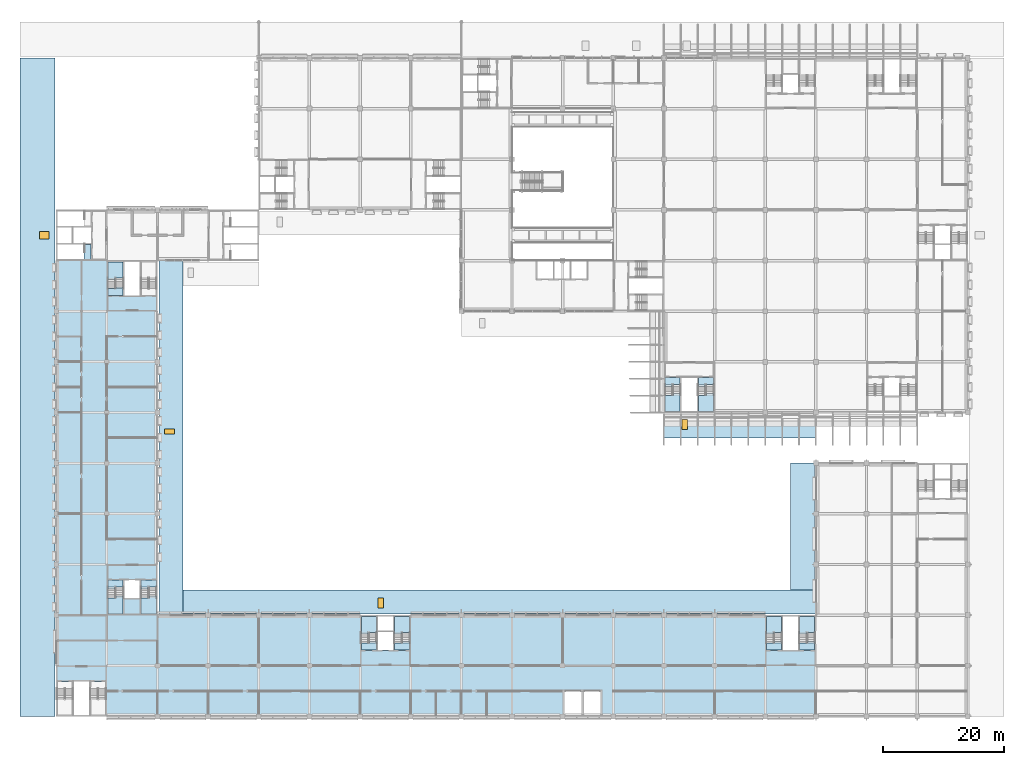
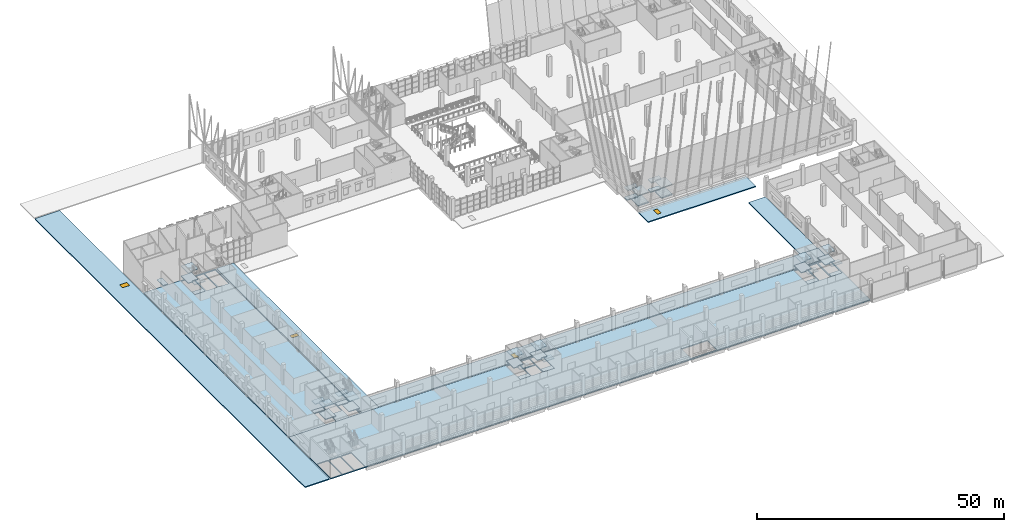
# One storey, part 20 of 101: 44 slabs, 4 windows, 4 openings, 9 elements without a shape of their own.
"""IFC4 building model written with IfcOpenShell, lengths in metres."""

from ifc_helpers import new_model, si_unit, direction, frame, origin, origin_2d, place, context, subcontext, project, spatial, polyline, rectangle, outline, extrude, material, layer, layer_set, type_object, element, fill, aggregate, save


model = new_model("IFC4")

# Units and contexts
model_context = context("Model", 3, precision=1e-05, world=origin(), true_north=direction((0.0, 1.0)))
body_context = subcontext(model_context, "Body", "Model", "MODEL_VIEW")
ifc_project = project(units=[si_unit("LENGTHUNIT", "METRE"), si_unit("AREAUNIT", "SQUARE_METRE"), si_unit("VOLUMEUNIT", "CUBIC_METRE"), si_unit("PLANEANGLEUNIT", "RADIAN"), si_unit("MASSUNIT", "GRAM", prefix="KILO")], contexts=[model_context])

# Site, building, storey
site_placement = place(None, origin())
site = spatial("IfcSite", under=ifc_project, at=site_placement, CompositionType="ELEMENT")
building_placement = place(site_placement, origin())
building = spatial("IfcBuilding", under=site, at=building_placement, Name="Almond Square Museum", CompositionType="ELEMENT")
storey_placement = place(building_placement, frame((0.0, 0.0, 5.5)))
storey = spatial("IfcBuildingStorey", under=building, at=storey_placement, Name="L01", CompositionType="ELEMENT", Elevation=5.5)

# Slab, opening, window
ifc_material_1 = material(Name="Timber deck and membrane roofing", Category="wood")
ifc_layer_1 = layer(ifc_material_1, 0.25)
ifc_layer_set_1 = layer_set([ifc_layer_1], Name="Timber deck and membrane roofing")
slab_type_1 = type_object("IfcSlabType", Name="Arcade roof covering 250", PredefinedType="ROOF", material=ifc_layer_set_1)
slab_1_placement = place(storey_placement, frame((0.0, 0.0, -0.25)))
slab_1 = element("IfcSlab", 1, at=slab_1_placement, inside=storey, type_object=slab_type_1, Name="Roof covering Arc West", PredefinedType="ROOF", context=body_context, shape_type="SweptSolid", body=[
    extrude(outline(polyline([(5.780029296875, 0.0), (5.780029296875, 109.199951171875), (0.0, 109.199951171875), (0.0, 0.0), (5.780029296875, 0.0)])), origin(), (0.0, 0.0, 1.0), 0.25),
])
opening_1_placement = place(slab_1_placement, frame((4.0, 79.800048828125, -0.010009765625)))
opening_1 = element("IfcOpeningElement", 2, at=opening_1_placement, cuts=slab_1, Name="Opening RL308", PredefinedType="OPENING", context=body_context, shape_type="SweptSolid", body=[
    extrude(rectangle(XDim=1.60009765625, YDim=1.199951171875, at=origin_2d()), origin(), (0.0, 0.0, 1.0), 0.27001953125),
])
ifc_material_2 = material(Name="Aluminium frame and laminated glass", Category="aluminium")
window_type_1 = type_object("IfcWindowType", Name="Entrance rooflight 1200 x 1600", PartitioningType="SINGLE_PANEL", PredefinedType="SKYLIGHT", material=ifc_material_2)
window_1_placement = place(opening_1_placement, frame((0.0, 0.0, 0.2099609375)))
window_1 = element("IfcWindow", 3, at=window_1_placement, inside=storey, type_object=window_type_1, Name="Rooflight", OverallHeight=1.199951171875, OverallWidth=1.60009765625, PartitioningType="SINGLE_PANEL", PredefinedType="SKYLIGHT", context=body_context, shape_type="SweptSolid", body=[
    extrude(rectangle(XDim=1.60009765625, YDim=1.199951171875, at=origin_2d()), origin(), (0.0, 0.0, 1.0), 0.050048828125),
])
fill(opening_1, window_1)

slab_2_placement = place(storey_placement, frame((0.0, 0.0, -0.25)))
slab_2 = element("IfcSlab", 4, at=slab_2_placement, inside=storey, type_object=slab_type_1, Name="Roof covering Log V5S", PredefinedType="ROOF", context=body_context, shape_type="SweptSolid", body=[
    extrude(outline(polyline([(132.0, 17.02001953125), (132.0, 21.0), (27.0, 21.0), (27.0, 17.02001953125), (132.0, 17.02001953125)])), origin(), (0.0, 0.0, 1.0), 0.25),
])
opening_2_placement = place(slab_2_placement, frame((59.85009765625, 18.800048828125, -0.010009765625)))
opening_2 = element("IfcOpeningElement", 5, at=opening_2_placement, cuts=slab_2, Name="Opening RL411", PredefinedType="OPENING", context=body_context, shape_type="SweptSolid", body=[
    extrude(rectangle(XDim=0.89990234375, YDim=1.60009765625, at=origin_2d()), origin(), (0.0, 0.0, 1.0), 0.27001953125),
])
ifc_material_3 = material(Name="Aluminium frame and laminated glass", Category="aluminium")
window_type_2 = type_object("IfcWindowType", Name="Entrance rooflight 900 x 1600", PartitioningType="SINGLE_PANEL", PredefinedType="SKYLIGHT", material=ifc_material_3)
window_2_placement = place(opening_2_placement, frame((0.0, 0.0, 0.2099609375)))
window_2 = element("IfcWindow", 6, at=window_2_placement, inside=storey, type_object=window_type_2, Name="Rooflight", OverallHeight=1.60009765625, OverallWidth=0.89990234375, PartitioningType="SINGLE_PANEL", PredefinedType="SKYLIGHT", context=body_context, shape_type="SweptSolid", body=[
    extrude(rectangle(XDim=0.89990234375, YDim=1.60009765625, at=origin_2d()), origin(), (0.0, 0.0, 1.0), 0.050048828125),
])
fill(opening_2, window_2)

slab_3_placement = place(storey_placement, frame((0.0, 0.0, -0.25)))
slab_3 = element("IfcSlab", 7, at=slab_3_placement, inside=storey, type_object=slab_type_1, Name="Roof covering Log V4W", PredefinedType="ROOF", context=body_context, shape_type="SweptSolid", body=[
    extrude(outline(polyline([(27.0, 16.800048828125), (27.0, 75.60009765625), (23.02001953125, 75.60009765625), (23.02001953125, 16.800048828125), (27.0, 16.800048828125)])), origin(), (0.0, 0.0, 1.0), 0.25),
])
opening_3_placement = place(slab_3_placement, frame((24.800048828125, 47.25, -0.010009765625)))
opening_3 = element("IfcOpeningElement", 8, at=opening_3_placement, cuts=slab_3, Name="Opening RL406", PredefinedType="OPENING", context=body_context, shape_type="SweptSolid", body=[
    extrude(rectangle(XDim=1.60009765625, YDim=0.89990234375, at=origin_2d()), origin(), (0.0, 0.0, 1.0), 0.27001953125),
])
window_3_placement = place(opening_3_placement, frame((0.0, 0.0, 0.2099609375)))
window_3 = element("IfcWindow", 9, at=window_3_placement, inside=storey, type_object=window_type_2, Name="Rooflight", OverallHeight=0.89990234375, OverallWidth=1.60009765625, PartitioningType="SINGLE_PANEL", PredefinedType="SKYLIGHT", context=body_context, shape_type="SweptSolid", body=[
    extrude(rectangle(XDim=1.60009765625, YDim=0.89990234375, at=origin_2d()), origin(), (0.0, 0.0, 1.0), 0.050048828125),
])
fill(opening_3, window_3)

slab_4_placement = place(storey_placement, frame((0.0, 0.0, -0.25)))
slab_4 = element("IfcSlab", 10, at=slab_4_placement, inside=storey, type_object=slab_type_1, Name="Roof covering Log V1", PredefinedType="ROOF", context=body_context, shape_type="SweptSolid", body=[
    extrude(outline(polyline([(132.0, 46.199951171875), (132.0, 50.179931640625), (106.800048828125, 50.179931640625), (106.800048828125, 46.199951171875), (132.0, 46.199951171875)])), origin(), (0.0, 0.0, 1.0), 0.25),
])
opening_4_placement = place(slab_4_placement, frame((110.25, 48.39990234375, -0.010009765625)))
opening_4 = element("IfcOpeningElement", 11, at=opening_4_placement, cuts=slab_4, Name="Opening RL407", PredefinedType="OPENING", context=body_context, shape_type="SweptSolid", body=[
    extrude(rectangle(XDim=0.89990234375, YDim=1.60009765625, at=origin_2d()), origin(), (0.0, 0.0, 1.0), 0.27001953125),
])
window_4_placement = place(opening_4_placement, frame((0.0, 0.0, 0.2099609375)))
window_4 = element("IfcWindow", 12, at=window_4_placement, inside=storey, type_object=window_type_2, Name="Rooflight", OverallHeight=1.60009765625, OverallWidth=0.89990234375, PartitioningType="SINGLE_PANEL", PredefinedType="SKYLIGHT", context=body_context, shape_type="SweptSolid", body=[
    extrude(rectangle(XDim=0.89990234375, YDim=1.60009765625, at=origin_2d()), origin(), (0.0, 0.0, 1.0), 0.050048828125),
])
fill(opening_4, window_4)

# Slab
slab_5_placement = place(storey_placement, frame((0.0, 0.0, -0.25)))
element("IfcSlab", 13, at=slab_5_placement, inside=storey, type_object=slab_type_1, Name="Roof covering Log V5E", PredefinedType="ROOF", context=body_context, shape_type="SweptSolid", body=[
    extrude(outline(polyline([(131.780029296875, 21.0), (131.780029296875, 42.0), (127.800048828125, 42.0), (127.800048828125, 21.0), (131.780029296875, 21.0)])), origin(), (0.0, 0.0, 1.0), 0.25),
])

# Stair, slabs
ifc_material_4 = material(Name="Concrete C40/50", Category="concrete")
stair_type = type_object("IfcStairType", Name="Exit stair 28 risers of 179 mm", PredefinedType="HALF_TURN_STAIR", material=ifc_material_4)
stair_1_placement = place(storey_placement, origin())
stair_1 = element("IfcStair", 14, at=stair_1_placement, inside=storey, type_object=stair_type, Name="L01 stair H1-1", PredefinedType="HALF_TURN_STAIR")
ifc_material_5 = material(Name="Concrete C40/50", Category="concrete")
ifc_layer_2 = layer(ifc_material_5, 0.199951171875)
ifc_layer_set_2 = layer_set([ifc_layer_2], Name="Concrete C40/50")
slab_type_2 = type_object("IfcSlabType", Name="Concrete stair landing 200", PredefinedType="LANDING", material=ifc_layer_set_2)
slab_6_placement = place(storey_placement, frame((0.0, 0.0, 1.050048828125)))
slab_6 = element("IfcSlab", 15, at=slab_6_placement, type_object=slab_type_2, Name="ST-01 landing 1", PredefinedType="LANDING", context=body_context, shape_type="SweptSolid", body=[
    extrude(outline(polyline([(107.0, 53.2529296875), (107.0, 50.60009765625), (109.5, 50.60009765625), (109.5, 53.550048828125), (108.35009765625, 53.550048828125), (108.35009765625, 53.2529296875), (107.0, 53.2529296875)])), origin(), (0.0, 0.0, 1.0), 0.199951171875),
])
slab_7_placement = place(storey_placement, frame((0.0, 0.0, 2.300048828125)))
slab_7 = element("IfcSlab", 16, at=slab_7_placement, type_object=slab_type_2, Name="ST-01 landing 2", PredefinedType="LANDING", context=body_context, shape_type="SweptSolid", body=[
    extrude(outline(polyline([(107.0, 56.199951171875), (107.0, 55.050048828125), (107.0, 54.75), (108.14990234375, 54.75), (108.14990234375, 55.047119140625), (109.5, 55.047119140625), (109.5, 56.199951171875), (107.0, 56.199951171875)])), origin(), (0.0, 0.0, 1.0), 0.199951171875),
])
slab_8_placement = place(storey_placement, frame((0.0, 0.0, 3.550048828125)))
slab_8 = element("IfcSlab", 17, at=slab_8_placement, type_object=slab_type_2, Name="ST-01 landing 3", PredefinedType="LANDING", context=body_context, shape_type="SweptSolid", body=[
    extrude(outline(polyline([(107.0, 53.2529296875), (107.0, 50.60009765625), (109.5, 50.60009765625), (109.5, 53.550048828125), (108.35009765625, 53.550048828125), (108.35009765625, 53.2529296875), (107.0, 53.2529296875)])), origin(), (0.0, 0.0, 1.0), 0.199951171875),
])
aggregate(stair_1, [slab_6, slab_7, slab_8])

stair_2_placement = place(storey_placement, origin())
stair_2 = element("IfcStair", 18, at=stair_2_placement, inside=storey, type_object=stair_type, Name="L01 stair H1-2", PredefinedType="HALF_TURN_STAIR")
slab_9_placement = place(storey_placement, frame((0.0, 0.0, 1.050048828125)))
slab_9 = element("IfcSlab", 19, at=slab_9_placement, type_object=slab_type_2, Name="ST-02 landing 1", PredefinedType="LANDING", context=body_context, shape_type="SweptSolid", body=[
    extrude(outline(polyline([(112.5, 53.2529296875), (112.5, 50.60009765625), (115.0, 50.60009765625), (115.0, 53.550048828125), (113.85009765625, 53.550048828125), (113.85009765625, 53.2529296875), (112.5, 53.2529296875)])), origin(), (0.0, 0.0, 1.0), 0.199951171875),
])
slab_10_placement = place(storey_placement, frame((0.0, 0.0, 2.300048828125)))
slab_10 = element("IfcSlab", 20, at=slab_10_placement, type_object=slab_type_2, Name="ST-02 landing 2", PredefinedType="LANDING", context=body_context, shape_type="SweptSolid", body=[
    extrude(outline(polyline([(112.5, 56.199951171875), (112.5, 55.050048828125), (112.5, 54.75), (113.64990234375, 54.75), (113.64990234375, 55.047119140625), (115.0, 55.047119140625), (115.0, 56.199951171875), (112.5, 56.199951171875)])), origin(), (0.0, 0.0, 1.0), 0.199951171875),
])
slab_11_placement = place(storey_placement, frame((0.0, 0.0, 3.550048828125)))
slab_11 = element("IfcSlab", 21, at=slab_11_placement, type_object=slab_type_2, Name="ST-02 landing 3", PredefinedType="LANDING", context=body_context, shape_type="SweptSolid", body=[
    extrude(outline(polyline([(112.5, 53.2529296875), (112.5, 50.60009765625), (115.0, 50.60009765625), (115.0, 53.550048828125), (113.85009765625, 53.550048828125), (113.85009765625, 53.2529296875), (112.5, 53.2529296875)])), origin(), (0.0, 0.0, 1.0), 0.199951171875),
])
aggregate(stair_2, [slab_9, slab_10, slab_11])

stair_3_placement = place(storey_placement, origin())
stair_3 = element("IfcStair", 22, at=stair_3_placement, inside=storey, type_object=stair_type, Name="L01 stair W1-1", PredefinedType="HALF_TURN_STAIR")
slab_12_placement = place(storey_placement, frame((0.0, 0.0, 1.050048828125)))
slab_12 = element("IfcSlab", 23, at=slab_12_placement, type_object=slab_type_2, Name="ST-21 landing 1", PredefinedType="LANDING", context=body_context, shape_type="SweptSolid", body=[
    extrude(outline(polyline([(14.60009765625, 19.653076171875), (14.60009765625, 17.0), (17.10009765625, 17.0), (17.10009765625, 19.949951171875), (15.949951171875, 19.949951171875), (15.949951171875, 19.653076171875), (14.60009765625, 19.653076171875)])), origin(), (0.0, 0.0, 1.0), 0.199951171875),
])
slab_13_placement = place(storey_placement, frame((0.0, 0.0, 2.300048828125)))
slab_13 = element("IfcSlab", 24, at=slab_13_placement, type_object=slab_type_2, Name="ST-21 landing 2", PredefinedType="LANDING", context=body_context, shape_type="SweptSolid", body=[
    extrude(outline(polyline([(14.60009765625, 22.60009765625), (14.60009765625, 21.449951171875), (14.60009765625, 21.14990234375), (15.75, 21.14990234375), (15.75, 21.447021484375), (17.10009765625, 21.447021484375), (17.10009765625, 22.60009765625), (14.60009765625, 22.60009765625)])), origin(), (0.0, 0.0, 1.0), 0.199951171875),
])
slab_14_placement = place(storey_placement, frame((0.0, 0.0, 3.550048828125)))
slab_14 = element("IfcSlab", 25, at=slab_14_placement, type_object=slab_type_2, Name="ST-21 landing 3", PredefinedType="LANDING", context=body_context, shape_type="SweptSolid", body=[
    extrude(outline(polyline([(14.60009765625, 19.653076171875), (14.60009765625, 17.0), (17.10009765625, 17.0), (17.10009765625, 19.949951171875), (15.949951171875, 19.949951171875), (15.949951171875, 19.653076171875), (14.60009765625, 19.653076171875)])), origin(), (0.0, 0.0, 1.0), 0.199951171875),
])
aggregate(stair_3, [slab_12, slab_13, slab_14])

stair_4_placement = place(storey_placement, origin())
stair_4 = element("IfcStair", 26, at=stair_4_placement, inside=storey, type_object=stair_type, Name="L01 stair W1-2", PredefinedType="HALF_TURN_STAIR")
slab_15_placement = place(storey_placement, frame((0.0, 0.0, 1.050048828125)))
slab_15 = element("IfcSlab", 27, at=slab_15_placement, type_object=slab_type_2, Name="ST-22 landing 1", PredefinedType="LANDING", context=body_context, shape_type="SweptSolid", body=[
    extrude(outline(polyline([(20.10009765625, 19.653076171875), (20.10009765625, 17.0), (22.60009765625, 17.0), (22.60009765625, 19.949951171875), (21.449951171875, 19.949951171875), (21.449951171875, 19.653076171875), (20.10009765625, 19.653076171875)])), origin(), (0.0, 0.0, 1.0), 0.199951171875),
])
slab_16_placement = place(storey_placement, frame((0.0, 0.0, 2.300048828125)))
slab_16 = element("IfcSlab", 28, at=slab_16_placement, type_object=slab_type_2, Name="ST-22 landing 2", PredefinedType="LANDING", context=body_context, shape_type="SweptSolid", body=[
    extrude(outline(polyline([(20.10009765625, 22.60009765625), (20.10009765625, 21.449951171875), (20.10009765625, 21.14990234375), (21.25, 21.14990234375), (21.25, 21.447021484375), (22.60009765625, 21.447021484375), (22.60009765625, 22.60009765625), (20.10009765625, 22.60009765625)])), origin(), (0.0, 0.0, 1.0), 0.199951171875),
])
slab_17_placement = place(storey_placement, frame((0.0, 0.0, 3.550048828125)))
slab_17 = element("IfcSlab", 29, at=slab_17_placement, type_object=slab_type_2, Name="ST-22 landing 3", PredefinedType="LANDING", context=body_context, shape_type="SweptSolid", body=[
    extrude(outline(polyline([(20.10009765625, 19.653076171875), (20.10009765625, 17.0), (22.60009765625, 17.0), (22.60009765625, 19.949951171875), (21.449951171875, 19.949951171875), (21.449951171875, 19.653076171875), (20.10009765625, 19.653076171875)])), origin(), (0.0, 0.0, 1.0), 0.199951171875),
])
aggregate(stair_4, [slab_15, slab_16, slab_17])

stair_5_placement = place(storey_placement, origin())
stair_5 = element("IfcStair", 30, at=stair_5_placement, inside=storey, type_object=stair_type, Name="L01 stair W2-1", PredefinedType="HALF_TURN_STAIR")
slab_18_placement = place(storey_placement, frame((0.0, 0.0, 1.050048828125)))
slab_18 = element("IfcSlab", 31, at=slab_18_placement, type_object=slab_type_2, Name="ST-23 landing 1", PredefinedType="LANDING", context=body_context, shape_type="SweptSolid", body=[
    extrude(outline(polyline([(17.10009765625, 72.7470703125), (17.10009765625, 75.39990234375), (14.60009765625, 75.39990234375), (14.60009765625, 72.449951171875), (15.75, 72.449951171875), (15.75, 72.7470703125), (17.10009765625, 72.7470703125)])), origin(), (0.0, 0.0, 1.0), 0.199951171875),
])
slab_19_placement = place(storey_placement, frame((0.0, 0.0, 2.300048828125)))
slab_19 = element("IfcSlab", 32, at=slab_19_placement, type_object=slab_type_2, Name="ST-23 landing 2", PredefinedType="LANDING", context=body_context, shape_type="SweptSolid", body=[
    extrude(outline(polyline([(17.10009765625, 69.800048828125), (17.10009765625, 70.949951171875), (17.10009765625, 71.25), (15.949951171875, 71.25), (15.949951171875, 70.952880859375), (14.60009765625, 70.952880859375), (14.60009765625, 69.800048828125), (17.10009765625, 69.800048828125)])), origin(), (0.0, 0.0, 1.0), 0.199951171875),
])
slab_20_placement = place(storey_placement, frame((0.0, 0.0, 3.550048828125)))
slab_20 = element("IfcSlab", 33, at=slab_20_placement, type_object=slab_type_2, Name="ST-23 landing 3", PredefinedType="LANDING", context=body_context, shape_type="SweptSolid", body=[
    extrude(outline(polyline([(17.10009765625, 72.7470703125), (17.10009765625, 75.39990234375), (14.60009765625, 75.39990234375), (14.60009765625, 72.449951171875), (15.75, 72.449951171875), (15.75, 72.7470703125), (17.10009765625, 72.7470703125)])), origin(), (0.0, 0.0, 1.0), 0.199951171875),
])
aggregate(stair_5, [slab_18, slab_19, slab_20])

stair_6_placement = place(storey_placement, origin())
stair_6 = element("IfcStair", 34, at=stair_6_placement, inside=storey, type_object=stair_type, Name="L01 stair S2-1", PredefinedType="HALF_TURN_STAIR")
slab_21_placement = place(storey_placement, frame((0.0, 0.0, 1.050048828125)))
slab_21 = element("IfcSlab", 35, at=slab_21_placement, type_object=slab_type_2, Name="ST-29 landing 1", PredefinedType="LANDING", context=body_context, shape_type="SweptSolid", body=[
    extrude(outline(polyline([(59.10009765625, 13.947021484375), (59.10009765625, 16.60009765625), (56.60009765625, 16.60009765625), (56.60009765625, 13.64990234375), (57.75, 13.64990234375), (57.75, 13.947021484375), (59.10009765625, 13.947021484375)])), origin(), (0.0, 0.0, 1.0), 0.199951171875),
])
slab_22_placement = place(storey_placement, frame((0.0, 0.0, 2.300048828125)))
slab_22 = element("IfcSlab", 36, at=slab_22_placement, type_object=slab_type_2, Name="ST-29 landing 2", PredefinedType="LANDING", context=body_context, shape_type="SweptSolid", body=[
    extrude(outline(polyline([(59.10009765625, 11.0), (59.10009765625, 12.14990234375), (59.10009765625, 12.449951171875), (57.949951171875, 12.449951171875), (57.949951171875, 12.153076171875), (56.60009765625, 12.153076171875), (56.60009765625, 11.0), (59.10009765625, 11.0)])), origin(), (0.0, 0.0, 1.0), 0.199951171875),
])
slab_23_placement = place(storey_placement, frame((0.0, 0.0, 3.550048828125)))
slab_23 = element("IfcSlab", 37, at=slab_23_placement, type_object=slab_type_2, Name="ST-29 landing 3", PredefinedType="LANDING", context=body_context, shape_type="SweptSolid", body=[
    extrude(outline(polyline([(59.10009765625, 13.947021484375), (59.10009765625, 16.60009765625), (56.60009765625, 16.60009765625), (56.60009765625, 13.64990234375), (57.75, 13.64990234375), (57.75, 13.947021484375), (59.10009765625, 13.947021484375)])), origin(), (0.0, 0.0, 1.0), 0.199951171875),
])
aggregate(stair_6, [slab_21, slab_22, slab_23])

stair_7_placement = place(storey_placement, origin())
stair_7 = element("IfcStair", 38, at=stair_7_placement, inside=storey, type_object=stair_type, Name="L01 stair S2-2", PredefinedType="HALF_TURN_STAIR")
slab_24_placement = place(storey_placement, frame((0.0, 0.0, 1.050048828125)))
slab_24 = element("IfcSlab", 39, at=slab_24_placement, type_object=slab_type_2, Name="ST-30 landing 1", PredefinedType="LANDING", context=body_context, shape_type="SweptSolid", body=[
    extrude(outline(polyline([(64.60009765625, 13.947021484375), (64.60009765625, 16.60009765625), (62.10009765625, 16.60009765625), (62.10009765625, 13.64990234375), (63.25, 13.64990234375), (63.25, 13.947021484375), (64.60009765625, 13.947021484375)])), origin(), (0.0, 0.0, 1.0), 0.199951171875),
])
slab_25_placement = place(storey_placement, frame((0.0, 0.0, 2.300048828125)))
slab_25 = element("IfcSlab", 40, at=slab_25_placement, type_object=slab_type_2, Name="ST-30 landing 2", PredefinedType="LANDING", context=body_context, shape_type="SweptSolid", body=[
    extrude(outline(polyline([(64.60009765625, 11.0), (64.60009765625, 12.14990234375), (64.60009765625, 12.449951171875), (63.449951171875, 12.449951171875), (63.449951171875, 12.153076171875), (62.10009765625, 12.153076171875), (62.10009765625, 11.0), (64.60009765625, 11.0)])), origin(), (0.0, 0.0, 1.0), 0.199951171875),
])
slab_26_placement = place(storey_placement, frame((0.0, 0.0, 3.550048828125)))
slab_26 = element("IfcSlab", 41, at=slab_26_placement, type_object=slab_type_2, Name="ST-30 landing 3", PredefinedType="LANDING", context=body_context, shape_type="SweptSolid", body=[
    extrude(outline(polyline([(64.60009765625, 13.947021484375), (64.60009765625, 16.60009765625), (62.10009765625, 16.60009765625), (62.10009765625, 13.64990234375), (63.25, 13.64990234375), (63.25, 13.947021484375), (64.60009765625, 13.947021484375)])), origin(), (0.0, 0.0, 1.0), 0.199951171875),
])
aggregate(stair_7, [slab_24, slab_25, slab_26])

stair_8_placement = place(storey_placement, origin())
stair_8 = element("IfcStair", 42, at=stair_8_placement, inside=storey, type_object=stair_type, Name="L01 stair S3-1", PredefinedType="HALF_TURN_STAIR")
slab_27_placement = place(storey_placement, frame((0.0, 0.0, 1.050048828125)))
slab_27 = element("IfcSlab", 43, at=slab_27_placement, type_object=slab_type_2, Name="ST-31 landing 1", PredefinedType="LANDING", context=body_context, shape_type="SweptSolid", body=[
    extrude(outline(polyline([(126.300048828125, 13.947021484375), (126.300048828125, 16.60009765625), (123.800048828125, 16.60009765625), (123.800048828125, 13.64990234375), (124.949951171875, 13.64990234375), (124.949951171875, 13.947021484375), (126.300048828125, 13.947021484375)])), origin(), (0.0, 0.0, 1.0), 0.199951171875),
])
slab_28_placement = place(storey_placement, frame((0.0, 0.0, 2.300048828125)))
slab_28 = element("IfcSlab", 44, at=slab_28_placement, type_object=slab_type_2, Name="ST-31 landing 2", PredefinedType="LANDING", context=body_context, shape_type="SweptSolid", body=[
    extrude(outline(polyline([(126.300048828125, 11.0), (126.300048828125, 12.14990234375), (126.300048828125, 12.449951171875), (125.14990234375, 12.449951171875), (125.14990234375, 12.153076171875), (123.800048828125, 12.153076171875), (123.800048828125, 11.0), (126.300048828125, 11.0)])), origin(), (0.0, 0.0, 1.0), 0.199951171875),
])
slab_29_placement = place(storey_placement, frame((0.0, 0.0, 3.550048828125)))
slab_29 = element("IfcSlab", 45, at=slab_29_placement, type_object=slab_type_2, Name="ST-31 landing 3", PredefinedType="LANDING", context=body_context, shape_type="SweptSolid", body=[
    extrude(outline(polyline([(126.300048828125, 13.947021484375), (126.300048828125, 16.60009765625), (123.800048828125, 16.60009765625), (123.800048828125, 13.64990234375), (124.949951171875, 13.64990234375), (124.949951171875, 13.947021484375), (126.300048828125, 13.947021484375)])), origin(), (0.0, 0.0, 1.0), 0.199951171875),
])
aggregate(stair_8, [slab_27, slab_28, slab_29])

stair_9_placement = place(storey_placement, origin())
stair_9 = element("IfcStair", 46, at=stair_9_placement, inside=storey, type_object=stair_type, Name="L01 stair S3-2", PredefinedType="HALF_TURN_STAIR")
slab_30_placement = place(storey_placement, frame((0.0, 0.0, 1.050048828125)))
slab_30 = element("IfcSlab", 47, at=slab_30_placement, type_object=slab_type_2, Name="ST-32 landing 1", PredefinedType="LANDING", context=body_context, shape_type="SweptSolid", body=[
    extrude(outline(polyline([(131.800048828125, 13.947021484375), (131.800048828125, 16.60009765625), (129.300048828125, 16.60009765625), (129.300048828125, 13.64990234375), (130.449951171875, 13.64990234375), (130.449951171875, 13.947021484375), (131.800048828125, 13.947021484375)])), origin(), (0.0, 0.0, 1.0), 0.199951171875),
])
slab_31_placement = place(storey_placement, frame((0.0, 0.0, 2.300048828125)))
slab_31 = element("IfcSlab", 48, at=slab_31_placement, type_object=slab_type_2, Name="ST-32 landing 2", PredefinedType="LANDING", context=body_context, shape_type="SweptSolid", body=[
    extrude(outline(polyline([(131.800048828125, 11.0), (131.800048828125, 12.14990234375), (131.800048828125, 12.449951171875), (130.64990234375, 12.449951171875), (130.64990234375, 12.153076171875), (129.300048828125, 12.153076171875), (129.300048828125, 11.0), (131.800048828125, 11.0)])), origin(), (0.0, 0.0, 1.0), 0.199951171875),
])
slab_32_placement = place(storey_placement, frame((0.0, 0.0, 3.550048828125)))
slab_32 = element("IfcSlab", 49, at=slab_32_placement, type_object=slab_type_2, Name="ST-32 landing 3", PredefinedType="LANDING", context=body_context, shape_type="SweptSolid", body=[
    extrude(outline(polyline([(131.800048828125, 13.947021484375), (131.800048828125, 16.60009765625), (129.300048828125, 16.60009765625), (129.300048828125, 13.64990234375), (130.449951171875, 13.64990234375), (130.449951171875, 13.947021484375), (131.800048828125, 13.947021484375)])), origin(), (0.0, 0.0, 1.0), 0.199951171875),
])
aggregate(stair_9, [slab_30, slab_31, slab_32])

# Slabs
slab_33_placement = place(storey_placement, frame((0.0, 0.0, -0.199951171875)))
element("IfcSlab", 50, at=slab_33_placement, inside=storey, type_object=slab_type_2, Name="L01 stair H1-1 floor landing", PredefinedType="LANDING", context=body_context, shape_type="SweptSolid", body=[
    extrude(outline(polyline([(107.0, 55.047119140625), (109.5, 55.047119140625), (109.5, 56.199951171875), (107.0, 56.199951171875), (107.0, 55.047119140625)])), origin(), (0.0, 0.0, 1.0), 0.199951171875),
])
slab_34_placement = place(storey_placement, frame((0.0, 0.0, -0.199951171875)))
element("IfcSlab", 51, at=slab_34_placement, inside=storey, type_object=slab_type_2, Name="L01 stair H1-2 floor landing", PredefinedType="LANDING", context=body_context, shape_type="SweptSolid", body=[
    extrude(outline(polyline([(112.5, 55.047119140625), (115.0, 55.047119140625), (115.0, 56.199951171875), (112.5, 56.199951171875), (112.5, 55.047119140625)])), origin(), (0.0, 0.0, 1.0), 0.199951171875),
])
slab_35_placement = place(storey_placement, frame((0.0, 0.0, -0.199951171875)))
element("IfcSlab", 52, at=slab_35_placement, inside=storey, type_object=slab_type_2, Name="L01 stair U1-1 floor landing", PredefinedType="LANDING", context=body_context, shape_type="SweptSolid", body=[
    extrude(outline(polyline([(10.64697265625, 75.800048828125), (11.800048828125, 75.800048828125), (11.800048828125, 78.300048828125), (10.64697265625, 78.300048828125), (10.64697265625, 75.800048828125)])), origin(), (0.0, 0.0, 1.0), 0.199951171875),
])
slab_36_placement = place(storey_placement, frame((0.0, 0.0, -0.199951171875)))
element("IfcSlab", 53, at=slab_36_placement, inside=storey, type_object=slab_type_2, Name="L01 stair W1-1 floor landing", PredefinedType="LANDING", context=body_context, shape_type="SweptSolid", body=[
    extrude(outline(polyline([(14.60009765625, 21.447021484375), (17.10009765625, 21.447021484375), (17.10009765625, 22.60009765625), (14.60009765625, 22.60009765625), (14.60009765625, 21.447021484375)])), origin(), (0.0, 0.0, 1.0), 0.199951171875),
])
slab_37_placement = place(storey_placement, frame((0.0, 0.0, -0.199951171875)))
element("IfcSlab", 54, at=slab_37_placement, inside=storey, type_object=slab_type_2, Name="L01 stair W1-2 floor landing", PredefinedType="LANDING", context=body_context, shape_type="SweptSolid", body=[
    extrude(outline(polyline([(20.10009765625, 21.447021484375), (22.60009765625, 21.447021484375), (22.60009765625, 22.60009765625), (20.10009765625, 22.60009765625), (20.10009765625, 21.447021484375)])), origin(), (0.0, 0.0, 1.0), 0.199951171875),
])
slab_38_placement = place(storey_placement, frame((0.0, 0.0, -0.199951171875)))
element("IfcSlab", 55, at=slab_38_placement, inside=storey, type_object=slab_type_2, Name="L01 stair W2-1 floor landing", PredefinedType="LANDING", context=body_context, shape_type="SweptSolid", body=[
    extrude(outline(polyline([(14.60009765625, 69.800048828125), (17.10009765625, 69.800048828125), (17.10009765625, 70.952880859375), (14.60009765625, 70.952880859375), (14.60009765625, 69.800048828125)])), origin(), (0.0, 0.0, 1.0), 0.199951171875),
])
slab_39_placement = place(storey_placement, frame((0.0, 0.0, -0.199951171875)))
element("IfcSlab", 56, at=slab_39_placement, inside=storey, type_object=slab_type_2, Name="L01 stair S2-1 floor landing", PredefinedType="LANDING", context=body_context, shape_type="SweptSolid", body=[
    extrude(outline(polyline([(56.60009765625, 11.0), (59.10009765625, 11.0), (59.10009765625, 12.153076171875), (56.60009765625, 12.153076171875), (56.60009765625, 11.0)])), origin(), (0.0, 0.0, 1.0), 0.199951171875),
])
slab_40_placement = place(storey_placement, frame((0.0, 0.0, -0.199951171875)))
element("IfcSlab", 57, at=slab_40_placement, inside=storey, type_object=slab_type_2, Name="L01 stair S2-2 floor landing", PredefinedType="LANDING", context=body_context, shape_type="SweptSolid", body=[
    extrude(outline(polyline([(62.10009765625, 11.0), (64.60009765625, 11.0), (64.60009765625, 12.153076171875), (62.10009765625, 12.153076171875), (62.10009765625, 11.0)])), origin(), (0.0, 0.0, 1.0), 0.199951171875),
])
slab_41_placement = place(storey_placement, frame((0.0, 0.0, -0.199951171875)))
element("IfcSlab", 58, at=slab_41_placement, inside=storey, type_object=slab_type_2, Name="L01 stair S3-1 floor landing", PredefinedType="LANDING", context=body_context, shape_type="SweptSolid", body=[
    extrude(outline(polyline([(123.800048828125, 11.0), (126.300048828125, 11.0), (126.300048828125, 12.153076171875), (123.800048828125, 12.153076171875), (123.800048828125, 11.0)])), origin(), (0.0, 0.0, 1.0), 0.199951171875),
])
slab_42_placement = place(storey_placement, frame((0.0, 0.0, -0.199951171875)))
element("IfcSlab", 59, at=slab_42_placement, inside=storey, type_object=slab_type_2, Name="L01 stair S3-2 floor landing", PredefinedType="LANDING", context=body_context, shape_type="SweptSolid", body=[
    extrude(outline(polyline([(129.300048828125, 11.0), (131.800048828125, 11.0), (131.800048828125, 12.153076171875), (129.300048828125, 12.153076171875), (129.300048828125, 11.0)])), origin(), (0.0, 0.0, 1.0), 0.199951171875),
])
ifc_material_6 = material(Name="Concrete C40/50", Category="concrete")
ifc_layer_3 = layer(ifc_material_6, 0.25)
ifc_layer_set_3 = layer_set([ifc_layer_3], Name="Concrete C40/50")
slab_type_3 = type_object("IfcSlabType", Name="RC floor slab 250 C40/50", PredefinedType="FLOOR", material=ifc_layer_set_3)
slab_43_placement = place(storey_placement, frame((0.0, 0.0, -0.25)))
element("IfcSlab", 60, at=slab_43_placement, inside=storey, type_object=slab_type_3, Name="Floor slab L01 V4W", PredefinedType="FLOOR", context=body_context, shape_type="SweptSolid", body=[
    extrude(outline(polyline([(22.800048828125, 75.60009765625), (22.800048828125, 16.800048828125), (6.0, 16.800048828125), (6.0, 75.60009765625), (22.800048828125, 75.60009765625)]), holes=[polyline([(20.10009765625, 17.0), (22.60009765625, 17.0), (22.60009765625, 22.60009765625), (20.10009765625, 22.60009765625), (20.10009765625, 17.0)]), polyline([(14.60009765625, 17.0), (17.10009765625, 17.0), (17.10009765625, 22.60009765625), (14.60009765625, 22.60009765625), (14.60009765625, 17.0)]), polyline([(17.300048828125, 19.60009765625), (19.89990234375, 19.60009765625), (19.89990234375, 22.60009765625), (17.300048828125, 22.60009765625), (17.300048828125, 19.60009765625)]), polyline([(17.300048828125, 69.800048828125), (19.89990234375, 69.800048828125), (19.89990234375, 75.39990234375), (17.300048828125, 75.39990234375), (17.300048828125, 69.800048828125)]), polyline([(22.60009765625, 69.800048828125), (22.60009765625, 75.39990234375), (20.10009765625, 75.39990234375), (20.10009765625, 69.800048828125), (22.60009765625, 69.800048828125)]), polyline([(14.60009765625, 69.800048828125), (17.10009765625, 69.800048828125), (17.10009765625, 75.39990234375), (14.60009765625, 75.39990234375), (14.60009765625, 69.800048828125)])]), origin(), (0.0, 0.0, 1.0), 0.25),
])
slab_44_placement = place(storey_placement, frame((0.0, 0.0, -0.25)))
element("IfcSlab", 61, at=slab_44_placement, inside=storey, type_object=slab_type_3, Name="Floor slab L01 V5S", PredefinedType="FLOOR", context=body_context, shape_type="SweptSolid", body=[
    extrude(outline(polyline([(22.800048828125, 16.800048828125), (132.0, 16.800048828125), (132.0, 0.0), (6.0, 0.0), (6.0, 16.800048828125), (22.800048828125, 16.800048828125)]), holes=[polyline([(8.699951171875, 0.199951171875), (8.699951171875, 5.800048828125), (6.199951171875, 5.800048828125), (6.199951171875, 0.199951171875), (8.699951171875, 0.199951171875)]), polyline([(8.89990234375, 0.199951171875), (11.5, 0.199951171875), (11.5, 5.800048828125), (8.89990234375, 5.800048828125), (8.89990234375, 0.199951171875)]), polyline([(11.699951171875, 0.199951171875), (14.199951171875, 0.199951171875), (14.199951171875, 5.800048828125), (11.699951171875, 5.800048828125), (11.699951171875, 0.199951171875)]), polyline([(90.300048828125, 0.300048828125), (96.300048828125, 0.300048828125), (96.300048828125, 4.10009765625), (90.300048828125, 4.10009765625), (90.300048828125, 0.300048828125)]), polyline([(59.300048828125, 11.0), (61.89990234375, 11.0), (61.89990234375, 14.0), (59.300048828125, 14.0), (59.300048828125, 11.0)]), polyline([(62.10009765625, 11.0), (64.60009765625, 11.0), (64.60009765625, 16.60009765625), (62.10009765625, 16.60009765625), (62.10009765625, 11.0)]), polyline([(56.60009765625, 11.0), (59.10009765625, 11.0), (59.10009765625, 16.60009765625), (56.60009765625, 16.60009765625), (56.60009765625, 11.0)]), polyline([(59.300048828125, 14.199951171875), (61.89990234375, 14.199951171875), (61.89990234375, 16.60009765625), (59.300048828125, 16.60009765625), (59.300048828125, 14.199951171875)]), polyline([(123.800048828125, 11.0), (126.300048828125, 11.0), (126.300048828125, 16.60009765625), (123.800048828125, 16.60009765625), (123.800048828125, 11.0)]), polyline([(126.5, 11.0), (129.10009765625, 11.0), (129.10009765625, 16.60009765625), (126.5, 16.60009765625), (126.5, 11.0)]), polyline([(129.300048828125, 11.0), (131.800048828125, 11.0), (131.800048828125, 16.60009765625), (129.300048828125, 16.60009765625), (129.300048828125, 11.0)])]), origin(), (0.0, 0.0, 1.0), 0.25),
])

save(model, "model.ifc")
